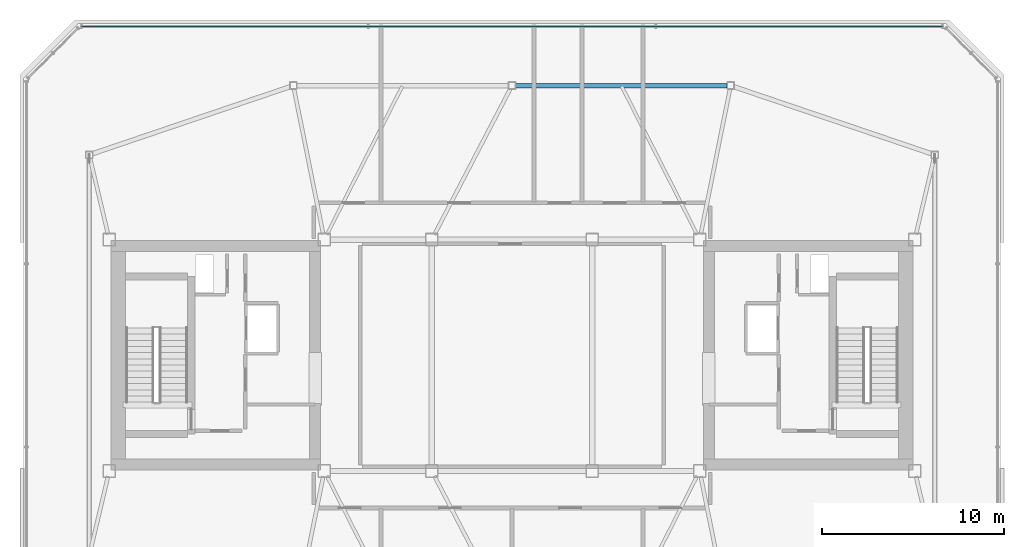
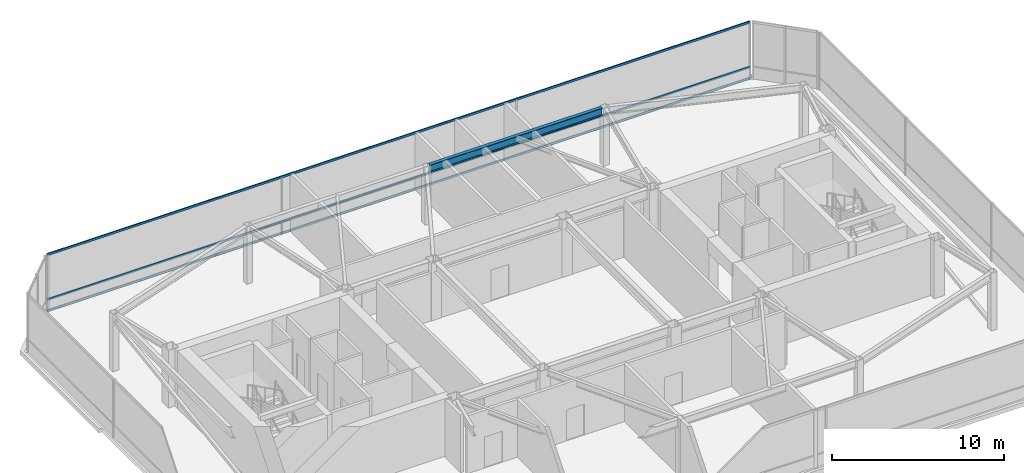
# One storey, part 15 of 22: 3 members, 1 beam, 1 element without a shape of its own.
"""IFC4 building model written with IfcOpenShell, lengths in metres."""

from ifc_helpers import new_model, si_unit, direction, frame, origin, origin_2d, place, context, subcontext, project, spatial, hollow_rectangle, i_section, extrude, material, layer, layer_set, material_profile, profile_set, type_object, element, aggregate, save


model = new_model("IFC4")

# Units and contexts
model_context = context("Model", 3, precision=1e-05, world=origin(), true_north=direction((0.0, 1.0)))
body_context = subcontext(model_context, "Body", "Model", "MODEL_VIEW")
ifc_project = project(units=[si_unit("LENGTHUNIT", "METRE"), si_unit("AREAUNIT", "SQUARE_METRE"), si_unit("VOLUMEUNIT", "CUBIC_METRE"), si_unit("PLANEANGLEUNIT", "RADIAN"), si_unit("MASSUNIT", "GRAM", prefix="KILO")], contexts=[model_context])

# Site, building, storey
site_placement = place(None, origin())
site = spatial("IfcSite", under=ifc_project, at=site_placement, CompositionType="ELEMENT")
building_placement = place(site_placement, origin())
building = spatial("IfcBuilding", under=site, at=building_placement, Name="Tavrogorsk Clinical Tower", CompositionType="ELEMENT")
storey_placement = place(building_placement, frame((0.0, 0.0, 339.800048828125)))
storey = spatial("IfcBuildingStorey", under=building, at=storey_placement, Name="L79", CompositionType="ELEMENT", Elevation=339.800048828125)

# Curtain wall, members
ifc_material_1 = material(Name="Anodised aluminium and triple IGU glazing", Category="aluminium")
ifc_layer = layer(ifc_material_1, 0.179931640625)
ifc_layer_set = layer_set([ifc_layer], Name="Anodised aluminium and triple IGU glazing")
curtain_wall_type = type_object("IfcCurtainWallType", Name="CW6_TmdLantern", PredefinedType="NOTDEFINED", material=ifc_layer_set)
curtain_wall_placement = place(storey_placement, origin())
curtain_wall = element("IfcCurtainWall", 1, at=curtain_wall_placement, inside=storey, type_object=curtain_wall_type, Name="L79 Curtain Wall CW-L79-DRUM-4", PredefinedType="NOTDEFINED")
ifc_material_2 = material(Name="Anodised aluminium alloy AW-6060", Category="aluminium")
ifc_material_profile_1 = material_profile(ifc_material_2, hollow_rectangle(XDim=0.074951171875, YDim=0.14990234375, WallThickness=0.0048828125, at=origin_2d()), Name="RHS-150x75x5")
ifc_profile_set_1 = profile_set([ifc_material_profile_1], Name="Anodised aluminium alloy AW-6060")
member_type = type_object("IfcMemberType", Name="CwTransom_150x75", PredefinedType="USERDEFINED", material=ifc_profile_set_1)
member_1_placement = place(storey_placement, frame((-23.628662109375, 18.0400390625, 0.050048828125), z_axis=(1.0, 0.0, 0.0), x_axis=(0.0, 1.0, 0.0)))
member_1 = element("IfcMember", 2, at=member_1_placement, type_object=member_type, Name="CW-L79-DRUM-4 Transom 1", ObjectType="TRANSOM", PredefinedType="USERDEFINED", context=body_context, shape_type="SweptSolid", body=[
    extrude(hollow_rectangle(XDim=0.074951171875, YDim=0.14990234375, WallThickness=0.0048828125, at=origin_2d()), origin(), (0.0, 0.0, 1.0), 47.25732421875),
])
member_2_placement = place(storey_placement, frame((-23.628662109375, 18.0400390625, 0.849853515625), z_axis=(1.0, 0.0, 0.0), x_axis=(0.0, 1.0, 0.0)))
member_2 = element("IfcMember", 3, at=member_2_placement, type_object=member_type, Name="CW-L79-DRUM-4 Transom 2", ObjectType="TRANSOM", PredefinedType="USERDEFINED", context=body_context, shape_type="SweptSolid", body=[
    extrude(hollow_rectangle(XDim=0.074951171875, YDim=0.14990234375, WallThickness=0.0048828125, at=origin_2d()), origin(), (0.0, 0.0, 1.0), 47.25732421875),
])
member_3_placement = place(storey_placement, frame((-23.628662109375, 18.0400390625, 4.050048828125), z_axis=(1.0, 0.0, 0.0), x_axis=(0.0, 1.0, 0.0)))
member_3 = element("IfcMember", 4, at=member_3_placement, type_object=member_type, Name="CW-L79-DRUM-4 Transom 3", ObjectType="TRANSOM", PredefinedType="USERDEFINED", context=body_context, shape_type="SweptSolid", body=[
    extrude(hollow_rectangle(XDim=0.074951171875, YDim=0.14990234375, WallThickness=0.0048828125, at=origin_2d()), origin(), (0.0, 0.0, 1.0), 47.25732421875),
])
aggregate(curtain_wall, [member_1, member_2, member_3])

# Beam
ifc_material_3 = material(Name="Structural steel S390", Category="steel")
ifc_material_profile_2 = material_profile(ifc_material_3, i_section(OverallWidth=0.239990234375, OverallDepth=0.550048828125, WebThickness=0.013916015625, FlangeThickness=0.02197265625, at=origin_2d()), Name="B-550x240x14x22")
ifc_profile_set_2 = profile_set([ifc_material_profile_2], Name="Structural steel S390")
beam_type = type_object("IfcBeamType", Name="SpandrelBeam_B550", PredefinedType="SPANDREL", material=ifc_profile_set_2)
beam_placement = place(storey_placement, frame((11.81005859375, 14.800048828125, 3.824951171875), z_axis=(-1.0, 0.0, 0.0), x_axis=(0.0, -1.0, 0.0)))
element("IfcBeam", 5, at=beam_placement, inside=storey, type_object=beam_type, Name="L79 Crown Spandrel Beam 06", PredefinedType="SPANDREL", context=body_context, shape_type="SweptSolid", body=[
    extrude(i_section(OverallWidth=0.239990234375, OverallDepth=0.550048828125, WebThickness=0.013916015625, FlangeThickness=0.02197265625, at=origin_2d()), origin(), (0.0, 0.0, 1.0), 11.6201171875),
])

save(model, "model.ifc")
